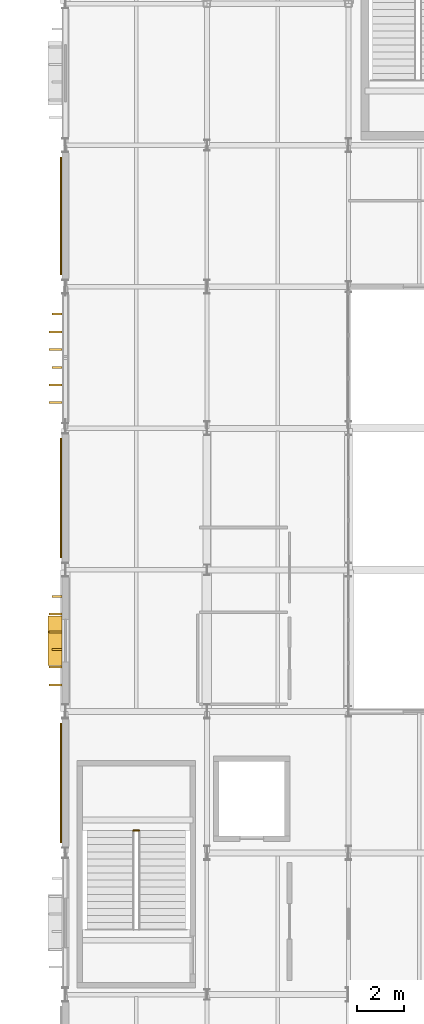
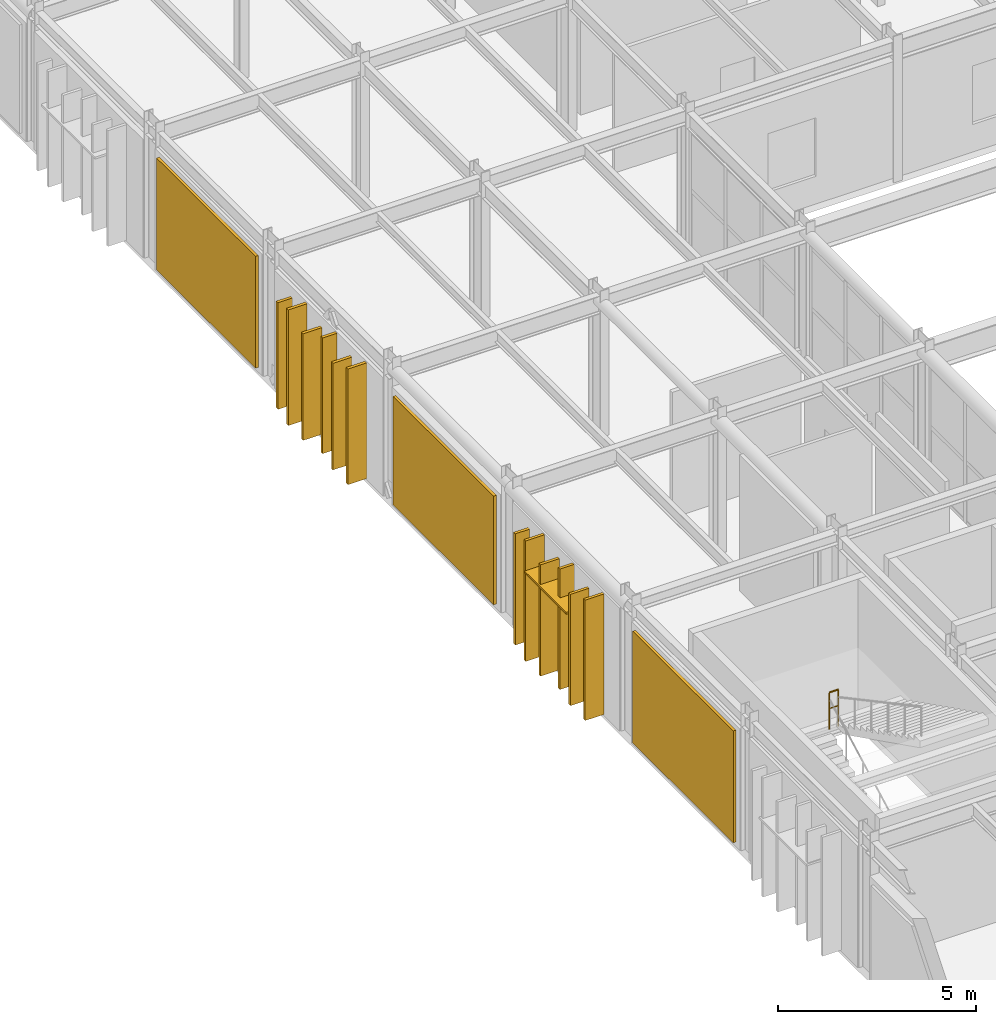
# One storey, part 82 of 96: 12 coverings, 4 shading devices, 1 railing.
"""IFC4 building model written with IfcOpenShell, lengths in metres."""

from ifc_helpers import new_model, si_unit, direction, frame, origin, origin_2d, place, context, subcontext, project, spatial, rectangle, circle, extrude, material, layer, layer_set, type_object, element, save


model = new_model("IFC4")

# Units and contexts
model_context = context("Model", 3, precision=1e-05, world=origin(), true_north=direction((0.0, 1.0)))
body_context = subcontext(model_context, "Body", "Model", "MODEL_VIEW")
ifc_project = project(units=[si_unit("LENGTHUNIT", "METRE"), si_unit("AREAUNIT", "SQUARE_METRE"), si_unit("VOLUMEUNIT", "CUBIC_METRE"), si_unit("PLANEANGLEUNIT", "RADIAN"), si_unit("MASSUNIT", "GRAM", prefix="KILO")], contexts=[model_context])

# Site, building, storey
site_placement = place(None, origin())
site = spatial("IfcSite", under=ifc_project, at=site_placement, CompositionType="ELEMENT")
building_placement = place(site_placement, origin())
building = spatial("IfcBuilding", under=site, at=building_placement, Name="Varnakota Square Police Headquarters", CompositionType="ELEMENT")
storey_placement = place(building_placement, frame((0.0, 0.0, 4.800048828125)))
storey = spatial("IfcBuildingStorey", under=building, at=storey_placement, Name="L01", CompositionType="ELEMENT", Elevation=4.800048828125)

# Coverings
ifc_material_1 = material(Name="White Anodised Aluminium Vertical Facade Blade 420", Category="aluminium")
ifc_layer_1 = layer(ifc_material_1, 0.0849609375, Name="White Anodised Aluminium Vertical Facade Blade 420")
ifc_layer_set_1 = layer_set([ifc_layer_1], Name="White Anodised Aluminium Vertical Facade Blade 420")
covering_type_1 = type_object("IfcCoveringType", Name="COV-FIN-420", PredefinedType="CLADDING", material=ifc_layer_set_1)
covering_1_placement = place(storey_placement, frame((5.64501953125, 41.625, 0.0400390625), z_axis=(0.0, 0.0, 1.0), x_axis=(0.0, 1.0, 0.0)))
element("IfcCovering", 1, at=covering_1_placement, inside=storey, type_object=covering_type_1, Name="Vertical aluminium facade fin FIN-0932", PredefinedType="CLADDING", context=body_context, shape_type="SweptSolid", body=[
    extrude(rectangle(XDim=0.0849609375, YDim=0.419921875, at=origin_2d()), origin(), (0.0, 0.0, 1.0), 3.70361328125),
])
covering_2_placement = place(storey_placement, frame((5.64501953125, 43.875, 0.0400390625), z_axis=(0.0, 0.0, 1.0), x_axis=(0.0, 1.0, 0.0)))
element("IfcCovering", 2, at=covering_2_placement, inside=storey, type_object=covering_type_1, Name="Vertical aluminium facade fin FIN-0935", PredefinedType="CLADDING", context=body_context, shape_type="SweptSolid", body=[
    extrude(rectangle(XDim=0.0849609375, YDim=0.419921875, at=origin_2d()), origin(), (0.0, 0.0, 1.0), 3.423583984375),
])
covering_3_placement = place(storey_placement, frame((5.64501953125, 53.58740234375, 0.0400390625), z_axis=(0.0, 0.0, 1.0), x_axis=(0.0, 1.0, 0.0)))
element("IfcCovering", 3, at=covering_3_placement, inside=storey, type_object=covering_type_1, Name="Vertical aluminium facade fin FIN-0938", PredefinedType="CLADDING", context=body_context, shape_type="SweptSolid", body=[
    extrude(rectangle(XDim=0.0849609375, YDim=0.419921875, at=origin_2d()), origin(), (0.0, 0.0, 1.0), 3.56005859375),
])
covering_4_placement = place(storey_placement, frame((5.64501953125, 55.83740234375, 0.0400390625), z_axis=(0.0, 0.0, 1.0), x_axis=(0.0, 1.0, 0.0)))
element("IfcCovering", 4, at=covering_4_placement, inside=storey, type_object=covering_type_1, Name="Vertical aluminium facade fin FIN-0941", PredefinedType="CLADDING", context=body_context, shape_type="SweptSolid", body=[
    extrude(rectangle(XDim=0.0849609375, YDim=0.419921875, at=origin_2d()), origin(), (0.0, 0.0, 1.0), 3.280029296875),
])
ifc_material_2 = material(Name="White Anodised Aluminium Vertical Facade Blade 550", Category="aluminium")
ifc_layer_2 = layer(ifc_material_2, 0.0849609375, Name="White Anodised Aluminium Vertical Facade Blade 550")
ifc_layer_set_2 = layer_set([ifc_layer_2], Name="White Anodised Aluminium Vertical Facade Blade 550")
covering_type_2 = type_object("IfcCoveringType", Name="COV-FIN-550", PredefinedType="CLADDING", material=ifc_layer_set_2)
covering_5_placement = place(storey_placement, frame((5.580078125, 40.125, 0.0400390625), z_axis=(0.0, 0.0, 1.0), x_axis=(0.0, 1.0, 0.0)))
element("IfcCovering", 5, at=covering_5_placement, inside=storey, type_object=covering_type_2, Name="Vertical aluminium facade fin FIN-0930", PredefinedType="CLADDING", context=body_context, shape_type="SweptSolid", body=[
    extrude(rectangle(XDim=0.0849609375, YDim=0.550048828125, at=origin_2d()), origin(), (0.0, 0.0, 1.0), 3.70361328125),
])
for number, where, z_axis, x_axis, name in (
    (6, (5.580078125, 40.875, 0.0400390625), (0.0, 0.0, 1.0), (0.0, 1.0, 0.0), "Vertical aluminium facade fin FIN-0931"),
    (7, (5.580078125, 42.375, 0.0400390625), (0.0, 0.0, 1.0), (0.0, 1.0, 0.0), "Vertical aluminium facade fin FIN-0933"),
):
    element("IfcCovering", number, at=place(storey_placement, frame(where, z_axis=z_axis, x_axis=x_axis)), inside=storey, type_object=covering_type_2, Name=name, PredefinedType="CLADDING", context=body_context, shape_type="SweptSolid", body=[
        extrude(rectangle(XDim=0.0849609375, YDim=0.550048828125, at=origin_2d()), origin(), (0.0, 0.0, 1.0), 3.423583984375),
    ])
covering_6_placement = place(storey_placement, frame((5.580078125, 43.125, 0.0400390625), z_axis=(0.0, 0.0, 1.0), x_axis=(0.0, 1.0, 0.0)))
element("IfcCovering", 8, at=covering_6_placement, inside=storey, type_object=covering_type_2, Name="Vertical aluminium facade fin FIN-0934", PredefinedType="CLADDING", context=body_context, shape_type="SweptSolid", body=[
    extrude(rectangle(XDim=0.0849609375, YDim=0.550048828125, at=origin_2d()), origin(), (0.0, 0.0, 1.0), 3.70361328125),
])
covering_7_placement = place(storey_placement, frame((5.580078125, 52.08740234375, 0.0400390625), z_axis=(0.0, 0.0, 1.0), x_axis=(0.0, 1.0, 0.0)))
element("IfcCovering", 9, at=covering_7_placement, inside=storey, type_object=covering_type_2, Name="Vertical aluminium facade fin FIN-0936", PredefinedType="CLADDING", context=body_context, shape_type="SweptSolid", body=[
    extrude(rectangle(XDim=0.0849609375, YDim=0.550048828125, at=origin_2d()), origin(), (0.0, 0.0, 1.0), 3.56005859375),
])
for number, where, z_axis, x_axis, name in (
    (10, (5.580078125, 52.83740234375, 0.0400390625), (0.0, 0.0, 1.0), (0.0, 1.0, 0.0), "Vertical aluminium facade fin FIN-0937"),
    (11, (5.580078125, 54.33740234375, 0.0400390625), (0.0, 0.0, 1.0), (0.0, 1.0, 0.0), "Vertical aluminium facade fin FIN-0939"),
):
    element("IfcCovering", number, at=place(storey_placement, frame(where, z_axis=z_axis, x_axis=x_axis)), inside=storey, type_object=covering_type_2, Name=name, PredefinedType="CLADDING", context=body_context, shape_type="SweptSolid", body=[
        extrude(rectangle(XDim=0.0849609375, YDim=0.550048828125, at=origin_2d()), origin(), (0.0, 0.0, 1.0), 3.280029296875),
    ])
covering_8_placement = place(storey_placement, frame((5.580078125, 55.08740234375, 0.0400390625), z_axis=(0.0, 0.0, 1.0), x_axis=(0.0, 1.0, 0.0)))
element("IfcCovering", 12, at=covering_8_placement, inside=storey, type_object=covering_type_2, Name="Vertical aluminium facade fin FIN-0940", PredefinedType="CLADDING", context=body_context, shape_type="SweptSolid", body=[
    extrude(rectangle(XDim=0.0849609375, YDim=0.550048828125, at=origin_2d()), origin(), (0.0, 0.0, 1.0), 3.56005859375),
])

# Railing
ifc_material_3 = material(Name="Laminated Glass and Stainless Steel Balustrade", Category="steel")
railing_type = type_object("IfcRailingType", Name="RL-INT-1150", PredefinedType="BALUSTRADE", material=ifc_material_3)
railing_placement = place(storey_placement, frame((8.869873046875, 33.95068359375, 2.25)))
element("IfcRailing", 13, at=railing_placement, inside=storey, type_object=railing_type, Name="Half-landing well guard C4 L01", PredefinedType="BALUSTRADE", context=body_context, shape_type="SweptSolid", body=[
    extrude(circle(Radius=0.02392578125, at=origin_2d()), frame((0.0, 0.0, 1.1259765625), z_axis=(1.0, 0.0, 0.0), x_axis=(0.0, 1.0, 0.0)), (0.0, 0.0, 1.0), 0.26025390625),
    extrude(circle(Radius=0.01806640625, at=origin_2d()), frame((0.0, 0.0, 0.63232421875), z_axis=(1.0, 0.0, 0.0), x_axis=(0.0, 1.0, 0.0)), (0.0, 0.0, 1.0), 0.26025390625),
    extrude(circle(Radius=0.02099609375, at=origin_2d()), origin(), (0.0, 0.0, 1.0), 1.101806640625),
    extrude(circle(Radius=0.02099609375, at=origin_2d()), frame((0.26025390625, 0.0, 0.0)), (0.0, 0.0, 1.0), 1.101806640625),
])

# Shading devices
ifc_material_4 = material(Name="Anodised Aluminium Horizontal Brise-Soleil", Category="aluminium")
ifc_layer_3 = layer(ifc_material_4, 0.06005859375, Name="Anodised Aluminium Horizontal Brise-Soleil")
ifc_layer_set_3 = layer_set([ifc_layer_3], Name="Anodised Aluminium Horizontal Brise-Soleil")
shading_device_type_1 = type_object("IfcShadingDeviceType", Name="SHD-JAL-600", PredefinedType="JALOUSIE", material=ifc_layer_set_3)
shading_device_1_placement = place(storey_placement, frame((5.552001953125, 42.0, 2.7998046875), z_axis=(0.0, 0.0, 1.0), x_axis=(0.0, 1.0, 0.0)))
element("IfcShadingDevice", 14, at=shading_device_1_placement, inside=storey, type_object=shading_device_type_1, Name="Horizontal sunshade SHD-046", PredefinedType="JALOUSIE", context=body_context, shape_type="SweptSolid", body=[
    extrude(rectangle(XDim=2.10009765625, YDim=0.60009765625, at=origin_2d()), origin(), (0.0, 0.0, 1.0), 0.06005859375),
])
ifc_material_5 = material(Name="Perforated Sandstone-Toned GRC Jali Screen", Category="masonry")
ifc_layer_4 = layer(ifc_material_5, 0.080078125, Name="Perforated Sandstone-Toned GRC Jali Screen")
ifc_layer_set_4 = layer_set([ifc_layer_4], Name="Perforated Sandstone-Toned GRC Jali Screen")
shading_device_type_2 = type_object("IfcShadingDeviceType", Name="SHD-SCR-GRC", PredefinedType="USERDEFINED", material=ifc_layer_set_4)
shading_device_2_placement = place(storey_placement, frame((5.81201171875, 35.96240234375, 0.14990234375), z_axis=(0.0, 0.0, 1.0), x_axis=(0.0, 1.0, 0.0)))
element("IfcShadingDevice", 15, at=shading_device_2_placement, inside=storey, type_object=shading_device_type_2, Name="Perforated GRC solar screen SCR-005", ObjectType="SOLAR SCREEN", PredefinedType="USERDEFINED", context=body_context, shape_type="SweptSolid", body=[
    extrude(rectangle(XDim=5.06689453125, YDim=0.080078125, at=origin_2d()), origin(), (0.0, 0.0, 1.0), 3.43994140625),
])
shading_device_3_placement = place(storey_placement, frame((5.81201171875, 48.03759765625, 0.14990234375), z_axis=(0.0, 0.0, 1.0), x_axis=(0.0, 1.0, 0.0)))
element("IfcShadingDevice", 16, at=shading_device_3_placement, inside=storey, type_object=shading_device_type_2, Name="Perforated GRC solar screen SCR-006", ObjectType="SOLAR SCREEN", PredefinedType="USERDEFINED", context=body_context, shape_type="SweptSolid", body=[
    extrude(rectangle(XDim=5.06689453125, YDim=0.080078125, at=origin_2d()), origin(), (0.0, 0.0, 1.0), 3.340087890625),
])
shading_device_4_placement = place(storey_placement, frame((5.81201171875, 60.0, 0.14990234375), z_axis=(0.0, 0.0, 1.0), x_axis=(0.0, 1.0, 0.0)))
element("IfcShadingDevice", 17, at=shading_device_4_placement, inside=storey, type_object=shading_device_type_2, Name="Perforated GRC solar screen SCR-007", ObjectType="SOLAR SCREEN", PredefinedType="USERDEFINED", context=body_context, shape_type="SweptSolid", body=[
    extrude(rectangle(XDim=4.991943359375, YDim=0.080078125, at=origin_2d()), origin(), (0.0, 0.0, 1.0), 3.43994140625),
])

save(model, "model.ifc")
